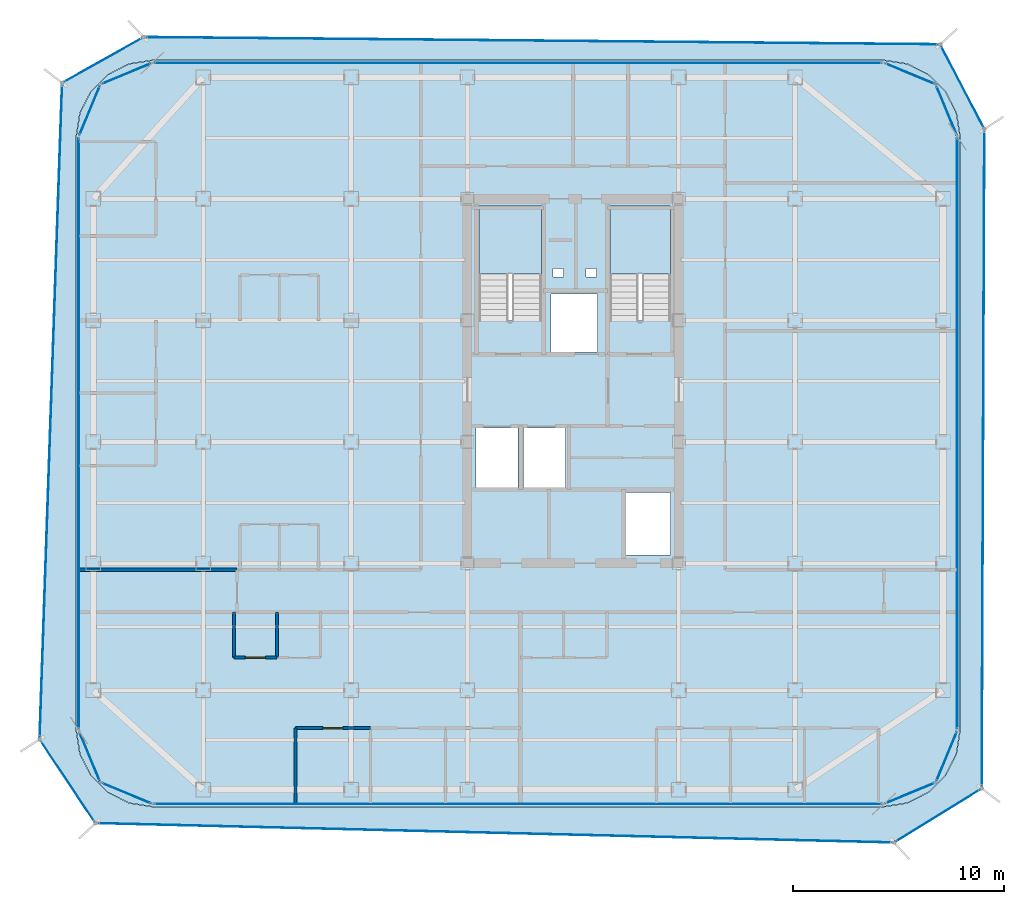
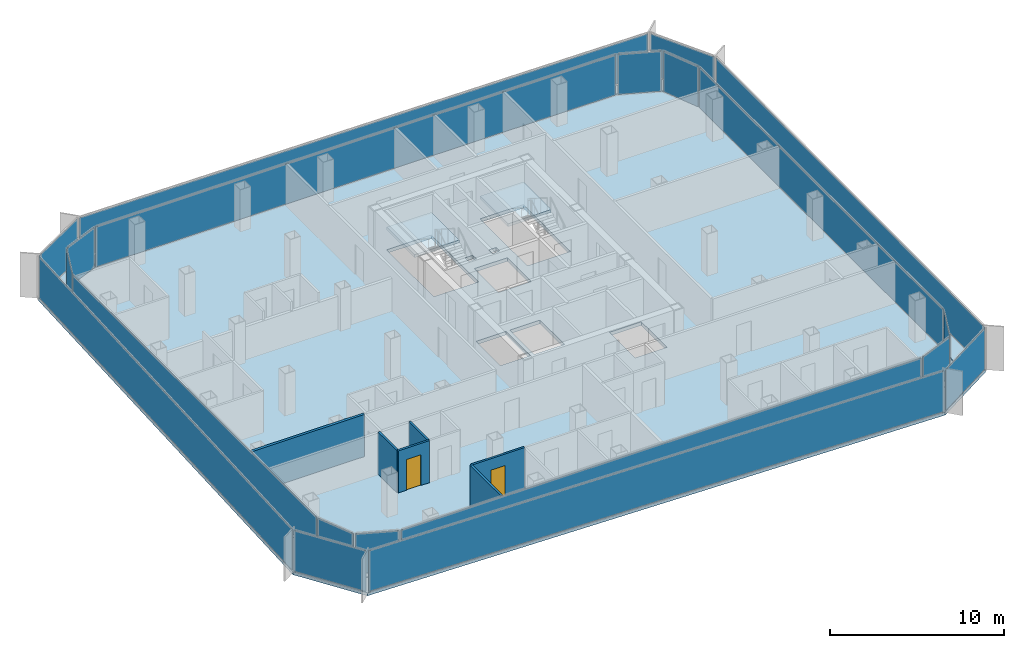
# One storey, part 9 of 15: 20 plates, 6 walls, 4 slabs, 2 doors, 2 openings, 22 elements without a shape of their own.
"""IFC4 building model written with IfcOpenShell, lengths in metres."""

from ifc_helpers import new_model, si_unit, direction, frame, frame_2d, origin, origin_2d, place, context, subcontext, project, spatial, polyline, rectangle, outline, extrude, source, transform, mapped, material, layer, layer_set, type_object, element, fill, aggregate, save


model = new_model("IFC4")

# Units and contexts
model_context = context("Model", 3, precision=1e-05, world=origin(), true_north=direction((0.0, 1.0)))
body_context = subcontext(model_context, "Body", "Model", "MODEL_VIEW")
ifc_project = project(units=[si_unit("LENGTHUNIT", "METRE"), si_unit("AREAUNIT", "SQUARE_METRE"), si_unit("VOLUMEUNIT", "CUBIC_METRE"), si_unit("PLANEANGLEUNIT", "RADIAN"), si_unit("MASSUNIT", "GRAM", prefix="KILO")], contexts=[model_context])

# Site, building, storey
site_placement = place(None, origin())
site = spatial("IfcSite", under=ifc_project, at=site_placement, CompositionType="ELEMENT")
building_placement = place(site_placement, origin())
building = spatial("IfcBuilding", under=site, at=building_placement, Name="Kolveth Station Tower", CompositionType="ELEMENT")
storey_placement = place(building_placement, frame((0.0, 0.0, 181.699951171875)))
storey = spatial("IfcBuildingStorey", under=building, at=storey_placement, Name="L51", CompositionType="ELEMENT", Elevation=181.699951171875)

# Slab
ifc_material_1 = material(Name="Concrete C40/50", Category="concrete")
ifc_layer_1 = layer(ifc_material_1, 0.25)
ifc_layer_set_1 = layer_set([ifc_layer_1], Name="Concrete C40/50")
slab_type_1 = type_object("IfcSlabType", Name="Slab_SF-250", PredefinedType="FLOOR", material=ifc_layer_set_1)
slab_1_placement = place(storey_placement, frame((0.0, 0.0, -0.25)))
element("IfcSlab", 1, at=slab_1_placement, inside=storey, type_object=slab_type_1, Name="L51 Tower Structural Floor Slab", PredefinedType="FLOOR", context=body_context, shape_type="SweptSolid", body=[
    extrude(outline(polyline([(38.199951171875, 0.0), (39.3125, 0.17626953125), (40.31591796875, 0.6875), (41.112548828125, 1.48388671875), (41.623779296875, 2.487548828125), (41.800048828125, 3.60009765625), (41.800048828125, 31.699951171875), (41.623779296875, 32.8125), (41.112548828125, 33.81591796875), (40.31591796875, 34.612548828125), (39.3125, 35.123779296875), (38.199951171875, 35.300048828125), (3.60009765625, 35.300048828125), (2.487548828125, 35.123779296875), (1.48388671875, 34.612548828125), (0.6875, 33.81591796875), (0.17626953125, 32.8125), (0.0, 31.699951171875), (0.0, 3.60009765625), (0.17626953125, 2.487548828125), (0.6875, 1.48388671875), (1.48388671875, 0.6875), (2.487548828125, 0.17626953125), (3.60009765625, 0.0), (38.199951171875, 0.0)]), holes=[polyline([(19.0400390625, 22.985107421875), (22.0, 22.985107421875), (22.0, 28.39990234375), (19.0400390625, 28.39990234375), (19.0400390625, 22.985107421875)]), polyline([(25.239990234375, 22.985107421875), (28.10009765625, 22.985107421875), (28.10009765625, 28.39990234375), (25.239990234375, 28.39990234375), (25.239990234375, 22.985107421875)]), polyline([(18.89990234375, 15.10009765625), (20.89990234375, 15.10009765625), (20.89990234375, 17.89990234375), (18.89990234375, 17.89990234375), (18.89990234375, 15.10009765625)]), polyline([(21.14990234375, 15.10009765625), (23.14990234375, 15.10009765625), (23.14990234375, 17.89990234375), (21.14990234375, 17.89990234375), (21.14990234375, 15.10009765625)]), polyline([(22.449951171875, 21.5), (24.64990234375, 21.5), (24.64990234375, 24.25), (22.449951171875, 24.25), (22.449951171875, 21.5)]), polyline([(26.0, 11.89990234375), (28.10009765625, 11.89990234375), (28.10009765625, 14.85009765625), (26.0, 14.85009765625), (26.0, 11.89990234375)]), polyline([(22.550048828125, 25.050048828125), (23.050048828125, 25.050048828125), (23.050048828125, 25.449951171875), (22.550048828125, 25.449951171875), (22.550048828125, 25.050048828125)]), polyline([(24.10009765625, 25.050048828125), (24.60009765625, 25.050048828125), (24.60009765625, 25.449951171875), (24.10009765625, 25.449951171875), (24.10009765625, 25.050048828125)])]), origin(), (0.0, 0.0, 1.0), 0.25),
])

# Stair, slab
stair_type_1 = type_object("IfcStairType", Name="Stair_ST2", PredefinedType="HALF_TURN_STAIR", material=ifc_material_1)
stair_1_placement = place(storey_placement, origin())
stair_1 = element("IfcStair", 2, at=stair_1_placement, inside=storey, type_object=stair_type_1, Name="L51 Tower Exit Stair ST2", PredefinedType="HALF_TURN_STAIR")
ifc_layer_2 = layer(ifc_material_1, 0.18994140625)
ifc_layer_set_2 = layer_set([ifc_layer_2], Name="Concrete C40/50")
slab_type_2 = type_object("IfcSlabType", Name="Slab_SL-190", PredefinedType="LANDING", material=ifc_layer_set_2)
slab_2_placement = place(storey_placement, frame((0.0, 0.0, 1.400146484375)))
slab_2 = element("IfcSlab", 3, at=slab_2_placement, type_object=slab_type_2, Name="ST2 landing 1", PredefinedType="LANDING", context=body_context, shape_type="SweptSolid", body=[
    extrude(outline(polyline([(28.10009765625, 25.18994140625), (28.10009765625, 28.39990234375), (25.239990234375, 28.39990234375), (25.239990234375, 25.18994140625), (28.10009765625, 25.18994140625)])), origin(), (0.0, 0.0, 1.0), 0.199951171875),
])
aggregate(stair_1, [slab_2])

stair_type_2 = type_object("IfcStairType", Name="Stair_ST1", PredefinedType="HALF_TURN_STAIR", material=ifc_material_1)
stair_2_placement = place(storey_placement, origin())
stair_2 = element("IfcStair", 4, at=stair_2_placement, inside=storey, type_object=stair_type_2, Name="L51 Tower Exit Stair ST1", PredefinedType="HALF_TURN_STAIR")
ifc_layer_3 = layer(ifc_material_1, 0.205078125)
ifc_layer_set_3 = layer_set([ifc_layer_3], Name="Concrete C40/50")
slab_type_3 = type_object("IfcSlabType", Name="Slab_SL-205", PredefinedType="LANDING", material=ifc_layer_set_3)
slab_3_placement = place(storey_placement, frame((0.0, 0.0, 1.400146484375)))
slab_3 = element("IfcSlab", 5, at=slab_3_placement, type_object=slab_type_3, Name="ST1 landing 1", PredefinedType="LANDING", context=body_context, shape_type="SweptSolid", body=[
    extrude(outline(polyline([(22.0, 25.18994140625), (22.0, 28.39990234375), (19.0400390625, 28.39990234375), (19.0400390625, 25.18994140625), (22.0, 25.18994140625)])), origin(), (0.0, 0.0, 1.0), 0.199951171875),
])
aggregate(stair_2, [slab_3])

# Slab
ifc_layer_4 = layer(ifc_material_1, 0.2099609375)
ifc_layer_set_4 = layer_set([ifc_layer_4], Name="Concrete C40/50")
slab_type_4 = type_object("IfcSlabType", Name="Slab_ST-210", PredefinedType="FLOOR", material=ifc_layer_set_4)
slab_4_placement = place(storey_placement, frame((0.0, 0.0, -0.2099609375)))
element("IfcSlab", 6, at=slab_4_placement, inside=storey, type_object=slab_type_4, Name="L51 Double-Skin Cavity Structural Ledger Ring", PredefinedType="FLOOR", context=body_context, shape_type="SweptSolid", body=[
    extrude(outline(polyline([(0.91162109375, -0.788330078125), (-1.736083984375, 3.178955078125), (-0.669189453125, 34.233154296875), (3.189453125, 36.398193359375), (40.869873046875, 36.05615234375), (42.959716796875, 32.049072265625), (42.835205078125, 0.856689453125), (38.685302734375, -1.705078125), (0.91162109375, -0.788330078125)]), holes=[polyline([(38.202392578125, -0.014892578125), (39.314697265625, 0.161376953125), (39.3193359375, 0.162841796875), (40.32275390625, 0.674072265625), (40.32666015625, 0.677001953125), (41.123046875, 1.473388671875), (41.1259765625, 1.477294921875), (41.63720703125, 2.480712890625), (41.638671875, 2.485107421875), (41.814697265625, 3.59765625), (41.81494140625, 3.60009765625), (41.81494140625, 31.699951171875), (41.814697265625, 31.702392578125), (41.638671875, 32.814697265625), (41.63720703125, 32.8193359375), (41.1259765625, 33.82275390625), (41.123046875, 33.82666015625), (40.32666015625, 34.623046875), (40.32275390625, 34.6259765625), (39.3193359375, 35.13720703125), (39.314697265625, 35.138671875), (38.202392578125, 35.314697265625), (38.199951171875, 35.31494140625), (3.60009765625, 35.31494140625), (3.59765625, 35.314697265625), (2.485107421875, 35.138671875), (2.480712890625, 35.13720703125), (1.477294921875, 34.6259765625), (1.473388671875, 34.623046875), (0.677001953125, 33.82666015625), (0.674072265625, 33.82275390625), (0.162841796875, 32.8193359375), (0.161376953125, 32.814697265625), (-0.014892578125, 31.702392578125), (-0.014892578125, 31.699951171875), (-0.014892578125, 3.60009765625), (-0.014892578125, 3.59765625), (0.161376953125, 2.485107421875), (0.162841796875, 2.480712890625), (0.674072265625, 1.477294921875), (0.677001953125, 1.473388671875), (1.473388671875, 0.677001953125), (1.477294921875, 0.674072265625), (2.480712890625, 0.162841796875), (2.485107421875, 0.161376953125), (3.59765625, -0.014892578125), (3.60009765625, -0.014892578125), (38.199951171875, -0.014892578125), (38.202392578125, -0.014892578125)])]), origin(), (0.0, 0.0, 1.0), 0.2099609375),
])

# Curtain wall, plate
ifc_material_2 = material(Name="Aluminium 6063-T6 and low-E dark glass", Category="aluminium")
ifc_layer_5 = layer(ifc_material_2, 0.18994140625)
ifc_layer_set_5 = layer_set([ifc_layer_5], Name="Aluminium 6063-T6 and low-E dark glass")
curtain_wall_type_1 = type_object("IfcCurtainWallType", Name="CurtainWall_CW-Z2", PredefinedType="NOTDEFINED", material=ifc_layer_set_5)
curtain_wall_1_placement = place(storey_placement, origin())
curtain_wall_1 = element("IfcCurtainWall", 7, at=curtain_wall_1_placement, inside=storey, type_object=curtain_wall_type_1, Name="L51 Inner Thermal Curtain Wall 1", PredefinedType="NOTDEFINED")
ifc_material_3 = material(Name="Architectural low-E dark glass", Category="glass")
ifc_layer_6 = layer(ifc_material_3, 0.0380859375)
ifc_layer_set_6 = layer_set([ifc_layer_6], Name="Architectural low-E dark glass")
plate_type_1 = type_object("IfcPlateType", Name="Panel_GL2", PredefinedType="CURTAIN_PANEL", material=ifc_layer_set_6)
shared_shape_1 = source(origin(), body_context, "Body", "SweptSolid", [
    extrude(rectangle(XDim=2.517578125, YDim=0.0380859375, at=origin_2d()), origin(), (0.0, 0.0, 1.0), 2.803955078125),
])
plate_1_placement = place(storey_placement, frame((39.430419921875, 0.629638671875, 0.0732421875), z_axis=(0.0, 0.0, 1.0), x_axis=(0.923873600544, 0.382697753087, 0.0)))
plate_1 = element("IfcPlate", 8, at=plate_1_placement, type_object=plate_type_1, Name="CW-Z2 panel 1.1", PredefinedType="CURTAIN_PANEL", context=body_context, shape_type="MappedRepresentation", body=[
    mapped(shared_shape_1, transform((0.0, 0.0, 0.0), x_axis=(1.0, 0.0, 0.0), y_axis=(0.0, 1.0, 0.0), z_axis=(0.0, 0.0, 1.0), scale=1.0)),
])
aggregate(curtain_wall_1, [plate_1])

curtain_wall_2_placement = place(storey_placement, origin())
curtain_wall_2 = element("IfcCurtainWall", 9, at=curtain_wall_2_placement, inside=storey, type_object=curtain_wall_type_1, Name="L51 Inner Thermal Curtain Wall 2", PredefinedType="NOTDEFINED")
plate_2_placement = place(storey_placement, frame((41.17041015625, 2.36962890625, 0.0732421875), z_axis=(0.0, 0.0, 1.0), x_axis=(0.382697753087, 0.923873600544, 0.0)))
plate_2 = element("IfcPlate", 10, at=plate_2_placement, type_object=plate_type_1, Name="CW-Z2 panel 1.1", PredefinedType="CURTAIN_PANEL", context=body_context, shape_type="MappedRepresentation", body=[
    mapped(shared_shape_1, transform((0.0, 0.0, 0.0), x_axis=(1.0, 0.0, 0.0), y_axis=(0.0, 1.0, 0.0), z_axis=(0.0, 0.0, 1.0), scale=1.0)),
])
aggregate(curtain_wall_2, [plate_2])

curtain_wall_3_placement = place(storey_placement, origin())
curtain_wall_3 = element("IfcCurtainWall", 11, at=curtain_wall_3_placement, inside=storey, type_object=curtain_wall_type_1, Name="L51 Inner Thermal Curtain Wall 4", PredefinedType="NOTDEFINED")
plate_3_placement = place(storey_placement, frame((41.17041015625, 32.930419921875, 0.0732421875), z_axis=(0.0, 0.0, 1.0), x_axis=(-0.382697753087, 0.923873600544, 0.0)))
plate_3 = element("IfcPlate", 12, at=plate_3_placement, type_object=plate_type_1, Name="CW-Z2 panel 1.1", PredefinedType="CURTAIN_PANEL", context=body_context, shape_type="MappedRepresentation", body=[
    mapped(shared_shape_1, transform((0.0, 0.0, 0.0), x_axis=(1.0, 0.0, 0.0), y_axis=(0.0, 1.0, 0.0), z_axis=(0.0, 0.0, 1.0), scale=1.0)),
])
aggregate(curtain_wall_3, [plate_3])

curtain_wall_4_placement = place(storey_placement, origin())
curtain_wall_4 = element("IfcCurtainWall", 13, at=curtain_wall_4_placement, inside=storey, type_object=curtain_wall_type_1, Name="L51 Inner Thermal Curtain Wall 5", PredefinedType="NOTDEFINED")
plate_4_placement = place(storey_placement, frame((39.430419921875, 34.67041015625, 0.0732421875), z_axis=(0.0, 0.0, 1.0), x_axis=(-0.923873600544, 0.382697753087, 0.0)))
plate_4 = element("IfcPlate", 14, at=plate_4_placement, type_object=plate_type_1, Name="CW-Z2 panel 1.1", PredefinedType="CURTAIN_PANEL", context=body_context, shape_type="MappedRepresentation", body=[
    mapped(shared_shape_1, transform((0.0, 0.0, 0.0), x_axis=(1.0, 0.0, 0.0), y_axis=(0.0, 1.0, 0.0), z_axis=(0.0, 0.0, 1.0), scale=1.0)),
])
aggregate(curtain_wall_4, [plate_4])

curtain_wall_5_placement = place(storey_placement, origin())
curtain_wall_5 = element("IfcCurtainWall", 15, at=curtain_wall_5_placement, inside=storey, type_object=curtain_wall_type_1, Name="L51 Inner Thermal Curtain Wall 7", PredefinedType="NOTDEFINED")
plate_5_placement = place(storey_placement, frame((2.36962890625, 34.67041015625, 0.0732421875), z_axis=(0.0, 0.0, 1.0), x_axis=(-0.923873600544, -0.382697753087, 0.0)))
plate_5 = element("IfcPlate", 16, at=plate_5_placement, type_object=plate_type_1, Name="CW-Z2 panel 1.1", PredefinedType="CURTAIN_PANEL", context=body_context, shape_type="MappedRepresentation", body=[
    mapped(shared_shape_1, transform((0.0, 0.0, 0.0), x_axis=(1.0, 0.0, 0.0), y_axis=(0.0, 1.0, 0.0), z_axis=(0.0, 0.0, 1.0), scale=1.0)),
])
aggregate(curtain_wall_5, [plate_5])

curtain_wall_6_placement = place(storey_placement, origin())
curtain_wall_6 = element("IfcCurtainWall", 17, at=curtain_wall_6_placement, inside=storey, type_object=curtain_wall_type_1, Name="L51 Inner Thermal Curtain Wall 8", PredefinedType="NOTDEFINED")
plate_6_placement = place(storey_placement, frame((0.629638671875, 32.930419921875, 0.0732421875), z_axis=(0.0, 0.0, 1.0), x_axis=(-0.382697753087, -0.923873600544, 0.0)))
plate_6 = element("IfcPlate", 18, at=plate_6_placement, type_object=plate_type_1, Name="CW-Z2 panel 1.1", PredefinedType="CURTAIN_PANEL", context=body_context, shape_type="MappedRepresentation", body=[
    mapped(shared_shape_1, transform((0.0, 0.0, 0.0), x_axis=(1.0, 0.0, 0.0), y_axis=(0.0, 1.0, 0.0), z_axis=(0.0, 0.0, 1.0), scale=1.0)),
])
aggregate(curtain_wall_6, [plate_6])

curtain_wall_7_placement = place(storey_placement, origin())
curtain_wall_7 = element("IfcCurtainWall", 19, at=curtain_wall_7_placement, inside=storey, type_object=curtain_wall_type_1, Name="L51 Inner Thermal Curtain Wall 10", PredefinedType="NOTDEFINED")
plate_7_placement = place(storey_placement, frame((0.629638671875, 2.36962890625, 0.0732421875), z_axis=(0.0, 0.0, 1.0), x_axis=(0.382697753087, -0.923873600544, 0.0)))
plate_7 = element("IfcPlate", 20, at=plate_7_placement, type_object=plate_type_1, Name="CW-Z2 panel 1.1", PredefinedType="CURTAIN_PANEL", context=body_context, shape_type="MappedRepresentation", body=[
    mapped(shared_shape_1, transform((0.0, 0.0, 0.0), x_axis=(1.0, 0.0, 0.0), y_axis=(0.0, 1.0, 0.0), z_axis=(0.0, 0.0, 1.0), scale=1.0)),
])
aggregate(curtain_wall_7, [plate_7])

curtain_wall_8_placement = place(storey_placement, origin())
curtain_wall_8 = element("IfcCurtainWall", 21, at=curtain_wall_8_placement, inside=storey, type_object=curtain_wall_type_1, Name="L51 Inner Thermal Curtain Wall 11", PredefinedType="NOTDEFINED")
plate_8_placement = place(storey_placement, frame((2.36962890625, 0.629638671875, 0.0732421875), z_axis=(0.0, 0.0, 1.0), x_axis=(0.923873600544, -0.382697753087, 0.0)))
plate_8 = element("IfcPlate", 22, at=plate_8_placement, type_object=plate_type_1, Name="CW-Z2 panel 1.1", PredefinedType="CURTAIN_PANEL", context=body_context, shape_type="MappedRepresentation", body=[
    mapped(shared_shape_1, transform((0.0, 0.0, 0.0), x_axis=(1.0, 0.0, 0.0), y_axis=(0.0, 1.0, 0.0), z_axis=(0.0, 0.0, 1.0), scale=1.0)),
])
aggregate(curtain_wall_8, [plate_8])

curtain_wall_9_placement = place(storey_placement, origin())
curtain_wall_9 = element("IfcCurtainWall", 23, at=curtain_wall_9_placement, inside=storey, type_object=curtain_wall_type_1, Name="L51 Inner Thermal Curtain Wall 3", PredefinedType="NOTDEFINED")
shared_shape_2 = source(origin(), body_context, "Body", "SweptSolid", [
    extrude(rectangle(XDim=27.9541015625, YDim=0.0380859375, at=origin_2d()), origin(), (0.0, 0.0, 1.0), 2.803955078125),
])
plate_9_placement = place(storey_placement, frame((41.679931640625, 17.64990234375, 0.0732421875), z_axis=(0.0, 0.0, 1.0), x_axis=(0.0, 1.0, 0.0)))
plate_9 = element("IfcPlate", 24, at=plate_9_placement, type_object=plate_type_1, Name="CW-Z2 panel 1.1", PredefinedType="CURTAIN_PANEL", context=body_context, shape_type="MappedRepresentation", body=[
    mapped(shared_shape_2, transform((0.0, 0.0, 0.0), x_axis=(1.0, 0.0, 0.0), y_axis=(0.0, 1.0, 0.0), z_axis=(0.0, 0.0, 1.0), scale=1.0)),
])
aggregate(curtain_wall_9, [plate_9])

curtain_wall_10_placement = place(storey_placement, origin())
curtain_wall_10 = element("IfcCurtainWall", 25, at=curtain_wall_10_placement, inside=storey, type_object=curtain_wall_type_1, Name="L51 Inner Thermal Curtain Wall 9", PredefinedType="NOTDEFINED")
plate_10_placement = place(storey_placement, frame((0.1201171875, 17.64990234375, 0.0732421875), z_axis=(0.0, 0.0, 1.0), x_axis=(0.0, -1.0, 0.0)))
plate_10 = element("IfcPlate", 26, at=plate_10_placement, type_object=plate_type_1, Name="CW-Z2 panel 1.1", PredefinedType="CURTAIN_PANEL", context=body_context, shape_type="MappedRepresentation", body=[
    mapped(shared_shape_2, transform((0.0, 0.0, 0.0), x_axis=(1.0, 0.0, 0.0), y_axis=(0.0, 1.0, 0.0), z_axis=(0.0, 0.0, 1.0), scale=1.0)),
])
aggregate(curtain_wall_10, [plate_10])

curtain_wall_11_placement = place(storey_placement, origin())
curtain_wall_11 = element("IfcCurtainWall", 27, at=curtain_wall_11_placement, inside=storey, type_object=curtain_wall_type_1, Name="L51 Inner Thermal Curtain Wall 6", PredefinedType="NOTDEFINED")
shared_shape_3 = source(origin(), body_context, "Body", "SweptSolid", [
    extrude(rectangle(XDim=34.4541015625, YDim=0.0380859375, at=origin_2d()), origin(), (0.0, 0.0, 1.0), 2.803955078125),
])
plate_11_placement = place(storey_placement, frame((20.89990234375, 35.179931640625, 0.0732421875), z_axis=(0.0, 0.0, 1.0), x_axis=(-1.0, 0.0, 0.0)))
plate_11 = element("IfcPlate", 28, at=plate_11_placement, type_object=plate_type_1, Name="CW-Z2 panel 1.1", PredefinedType="CURTAIN_PANEL", context=body_context, shape_type="MappedRepresentation", body=[
    mapped(shared_shape_3, transform((0.0, 0.0, 0.0), x_axis=(1.0, 0.0, 0.0), y_axis=(0.0, 1.0, 0.0), z_axis=(0.0, 0.0, 1.0), scale=1.0)),
])
aggregate(curtain_wall_11, [plate_11])

curtain_wall_12_placement = place(storey_placement, origin())
curtain_wall_12 = element("IfcCurtainWall", 29, at=curtain_wall_12_placement, inside=storey, type_object=curtain_wall_type_1, Name="L51 Inner Thermal Curtain Wall 12", PredefinedType="NOTDEFINED")
plate_12_placement = place(storey_placement, frame((20.89990234375, 0.1201171875, 0.0732421875), z_axis=(0.0, 0.0, 1.0), x_axis=(1.0, 0.0, 0.0)))
plate_12 = element("IfcPlate", 30, at=plate_12_placement, type_object=plate_type_1, Name="CW-Z2 panel 1.1", PredefinedType="CURTAIN_PANEL", context=body_context, shape_type="MappedRepresentation", body=[
    mapped(shared_shape_3, transform((0.0, 0.0, 0.0), x_axis=(1.0, 0.0, 0.0), y_axis=(0.0, 1.0, 0.0), z_axis=(0.0, 0.0, 1.0), scale=1.0)),
])
aggregate(curtain_wall_12, [plate_12])

ifc_material_4 = material(Name="Black anodized aluminium 6063-T6 and dark solar glass", Category="aluminium")
ifc_layer_7 = layer(ifc_material_4, 0.159912109375)
ifc_layer_set_7 = layer_set([ifc_layer_7], Name="Black anodized aluminium 6063-T6 and dark solar glass")
curtain_wall_type_2 = type_object("IfcCurtainWallType", Name="OUTER SKIN CW-OS", PredefinedType="NOTDEFINED", material=ifc_layer_set_7)
curtain_wall_13_placement = place(storey_placement, origin())
curtain_wall_13 = element("IfcCurtainWall", 31, at=curtain_wall_13_placement, inside=storey, type_object=curtain_wall_type_2, Name="L51 Outer Ventilated Skin Curtain Wall 5", PredefinedType="NOTDEFINED")
ifc_layer_8 = layer(ifc_material_3, 0.028076171875)
ifc_layer_set_8 = layer_set([ifc_layer_8], Name="Architectural low-E dark glass")
plate_type_2 = type_object("IfcPlateType", Name="Panel_GL-OS", PredefinedType="CURTAIN_PANEL", material=ifc_layer_set_8)
shared_shape_4 = source(origin(), body_context, "Body", "SweptSolid", [
    extrude(rectangle(XDim=4.2587890625, YDim=0.028076171875, at=origin_2d()), origin(), (0.0, 0.0, 1.0), 2.843994140625),
])
plate_13_placement = place(storey_placement, frame((1.260009765625, 35.315673828125, 0.0732421875), z_axis=(0.0, 0.0, 1.0), x_axis=(-0.872113403023, -0.489303803651, 0.0)))
plate_13 = element("IfcPlate", 32, at=plate_13_placement, type_object=plate_type_2, Name="CW-OS panel 1.1", PredefinedType="CURTAIN_PANEL", context=body_context, shape_type="MappedRepresentation", body=[
    mapped(shared_shape_4, transform((0.0, 0.0, 0.0), x_axis=(1.0, 0.0, 0.0), y_axis=(0.0, 1.0, 0.0), z_axis=(0.0, 0.0, 1.0), scale=1.0)),
])
aggregate(curtain_wall_13, [plate_13])

curtain_wall_14_placement = place(storey_placement, origin())
curtain_wall_14 = element("IfcCurtainWall", 33, at=curtain_wall_14_placement, inside=storey, type_object=curtain_wall_type_2, Name="L51 Outer Ventilated Skin Curtain Wall 1", PredefinedType="NOTDEFINED")
shared_shape_5 = source(origin(), body_context, "Body", "SweptSolid", [
    extrude(rectangle(XDim=4.710693359375, YDim=0.028076171875, at=origin_2d()), origin(), (0.0, 0.0, 1.0), 2.843994140625),
])
plate_14_placement = place(storey_placement, frame((40.76025390625, -0.42431640625, 0.0732421875), z_axis=(0.0, 0.0, 1.0), x_axis=(0.850942220214, 0.525259305351, 0.0)))
plate_14 = element("IfcPlate", 34, at=plate_14_placement, type_object=plate_type_2, Name="CW-OS panel 1.1", PredefinedType="CURTAIN_PANEL", context=body_context, shape_type="MappedRepresentation", body=[
    mapped(shared_shape_5, transform((0.0, 0.0, 0.0), x_axis=(1.0, 0.0, 0.0), y_axis=(0.0, 1.0, 0.0), z_axis=(0.0, 0.0, 1.0), scale=1.0)),
])
aggregate(curtain_wall_14, [plate_14])

curtain_wall_15_placement = place(storey_placement, origin())
curtain_wall_15 = element("IfcCurtainWall", 35, at=curtain_wall_15_placement, inside=storey, type_object=curtain_wall_type_2, Name="L51 Outer Ventilated Skin Curtain Wall 2", PredefinedType="NOTDEFINED")
shared_shape_6 = source(origin(), body_context, "Body", "SweptSolid", [
    extrude(rectangle(XDim=31.026611328125, YDim=0.028076171875, at=origin_2d()), origin(), (0.0, 0.0, 1.0), 2.843994140625),
])
plate_15_placement = place(storey_placement, frame((42.8974609375, 16.452880859375, 0.0732421875), z_axis=(0.0, 0.0, 1.0), x_axis=(0.003991312288, 0.999992034681, 0.0)))
plate_15 = element("IfcPlate", 36, at=plate_15_placement, type_object=plate_type_2, Name="CW-OS panel 1.1", PredefinedType="CURTAIN_PANEL", context=body_context, shape_type="MappedRepresentation", body=[
    mapped(shared_shape_6, transform((0.0, 0.0, 0.0), x_axis=(1.0, 0.0, 0.0), y_axis=(0.0, 1.0, 0.0), z_axis=(0.0, 0.0, 1.0), scale=1.0)),
])
aggregate(curtain_wall_15, [plate_15])

curtain_wall_16_placement = place(storey_placement, origin())
curtain_wall_16 = element("IfcCurtainWall", 37, at=curtain_wall_16_placement, inside=storey, type_object=curtain_wall_type_2, Name="L51 Outer Ventilated Skin Curtain Wall 3", PredefinedType="NOTDEFINED")
shared_shape_7 = source(origin(), body_context, "Body", "SweptSolid", [
    extrude(rectangle(XDim=4.353271484375, YDim=0.028076171875, at=origin_2d()), origin(), (0.0, 0.0, 1.0), 2.843994140625),
])
plate_16_placement = place(storey_placement, frame((41.914794921875, 34.052734375, 0.0732421875), z_axis=(0.0, 0.0, 1.0), x_axis=(-0.462416270951, 0.886662953078, 0.0)))
plate_16 = element("IfcPlate", 38, at=plate_16_placement, type_object=plate_type_2, Name="CW-OS panel 1.1", PredefinedType="CURTAIN_PANEL", context=body_context, shape_type="MappedRepresentation", body=[
    mapped(shared_shape_7, transform((0.0, 0.0, 0.0), x_axis=(1.0, 0.0, 0.0), y_axis=(0.0, 1.0, 0.0), z_axis=(0.0, 0.0, 1.0), scale=1.0)),
])
aggregate(curtain_wall_16, [plate_16])

curtain_wall_17_placement = place(storey_placement, origin())
curtain_wall_17 = element("IfcCurtainWall", 39, at=curtain_wall_17_placement, inside=storey, type_object=curtain_wall_type_2, Name="L51 Outer Ventilated Skin Curtain Wall 4", PredefinedType="NOTDEFINED")
shared_shape_8 = source(origin(), body_context, "Body", "SweptSolid", [
    extrude(rectangle(XDim=37.51611328125, YDim=0.028076171875, at=origin_2d()), origin(), (0.0, 0.0, 1.0), 2.843994140625),
])
plate_17_placement = place(storey_placement, frame((22.02978515625, 36.227294921875, 0.0732421875), z_axis=(0.0, 0.0, 1.0), x_axis=(-0.9999588126, 0.009075962941, 0.0)))
plate_17 = element("IfcPlate", 40, at=plate_17_placement, type_object=plate_type_2, Name="CW-OS panel 1.1", PredefinedType="CURTAIN_PANEL", context=body_context, shape_type="MappedRepresentation", body=[
    mapped(shared_shape_8, transform((0.0, 0.0, 0.0), x_axis=(1.0, 0.0, 0.0), y_axis=(0.0, 1.0, 0.0), z_axis=(0.0, 0.0, 1.0), scale=1.0)),
])
aggregate(curtain_wall_17, [plate_17])

curtain_wall_18_placement = place(storey_placement, origin())
curtain_wall_18 = element("IfcCurtainWall", 41, at=curtain_wall_18_placement, inside=storey, type_object=curtain_wall_type_2, Name="L51 Outer Ventilated Skin Curtain Wall 6", PredefinedType="NOTDEFINED")
shared_shape_9 = source(origin(), body_context, "Body", "SweptSolid", [
    extrude(rectangle(XDim=30.906494140625, YDim=0.028076171875, at=origin_2d()), origin(), (0.0, 0.0, 1.0), 2.843994140625),
])
plate_18_placement = place(storey_placement, frame((-1.20263671875, 18.7060546875, 0.0732421875), z_axis=(0.0, 0.0, 1.0), x_axis=(-0.034335692937, -0.999410356255, 0.0)))
plate_18 = element("IfcPlate", 42, at=plate_18_placement, type_object=plate_type_2, Name="CW-OS panel 1.1", PredefinedType="CURTAIN_PANEL", context=body_context, shape_type="MappedRepresentation", body=[
    mapped(shared_shape_9, transform((0.0, 0.0, 0.0), x_axis=(1.0, 0.0, 0.0), y_axis=(0.0, 1.0, 0.0), z_axis=(0.0, 0.0, 1.0), scale=1.0)),
])
aggregate(curtain_wall_18, [plate_18])

curtain_wall_19_placement = place(storey_placement, origin())
curtain_wall_19 = element("IfcCurtainWall", 43, at=curtain_wall_19_placement, inside=storey, type_object=curtain_wall_type_2, Name="L51 Outer Ventilated Skin Curtain Wall 7", PredefinedType="NOTDEFINED")
shared_shape_10 = source(origin(), body_context, "Body", "SweptSolid", [
    extrude(rectangle(XDim=4.603759765625, YDim=0.028076171875, at=origin_2d()), origin(), (0.0, 0.0, 1.0), 2.843994140625),
])
plate_19_placement = place(storey_placement, frame((-0.412353515625, 1.1953125, 0.0732421875), z_axis=(0.0, 0.0, 1.0), x_axis=(0.555140390038, -0.831756663543, 0.0)))
plate_19 = element("IfcPlate", 44, at=plate_19_placement, type_object=plate_type_2, Name="CW-OS panel 1.1", PredefinedType="CURTAIN_PANEL", context=body_context, shape_type="MappedRepresentation", body=[
    mapped(shared_shape_10, transform((0.0, 0.0, 0.0), x_axis=(1.0, 0.0, 0.0), y_axis=(0.0, 1.0, 0.0), z_axis=(0.0, 0.0, 1.0), scale=1.0)),
])
aggregate(curtain_wall_19, [plate_19])

curtain_wall_20_placement = place(storey_placement, origin())
curtain_wall_20 = element("IfcCurtainWall", 45, at=curtain_wall_20_placement, inside=storey, type_object=curtain_wall_type_2, Name="L51 Outer Ventilated Skin Curtain Wall 8", PredefinedType="NOTDEFINED")
shared_shape_11 = source(origin(), body_context, "Body", "SweptSolid", [
    extrude(rectangle(XDim=37.61865234375, YDim=0.028076171875, at=origin_2d()), origin(), (0.0, 0.0, 1.0), 2.843994140625),
])
plate_20_placement = place(storey_placement, frame((19.798583984375, -1.24658203125, 0.0732421875), z_axis=(0.0, 0.0, 1.0), x_axis=(0.999705719682, -0.024258483781, 0.0)))
plate_20 = element("IfcPlate", 46, at=plate_20_placement, type_object=plate_type_2, Name="CW-OS panel 1.1", PredefinedType="CURTAIN_PANEL", context=body_context, shape_type="MappedRepresentation", body=[
    mapped(shared_shape_11, transform((0.0, 0.0, 0.0), x_axis=(1.0, 0.0, 0.0), y_axis=(0.0, 1.0, 0.0), z_axis=(0.0, 0.0, 1.0), scale=1.0)),
])
aggregate(curtain_wall_20, [plate_20])

# Wall, opening, door
ifc_material_5 = material(Name="Moisture-resistant gypsum partition")
ifc_layer_9 = layer(ifc_material_5, 0.135009765625)
ifc_layer_set_9 = layer_set([ifc_layer_9], Name="Moisture-resistant gypsum partition")
wall_type_1 = type_object("IfcWallType", Name="Wall_IW-135", PredefinedType="PARTITIONING", material=ifc_layer_set_9)
wall_1_placement = place(storey_placement, frame((7.449951171875, 7.050048828125, 0.0), z_axis=(0.0, 0.0, 1.0), x_axis=(1.0, 0.0, 0.0)))
wall_1 = element("IfcWall", 47, at=wall_1_placement, inside=storey, type_object=wall_type_1, Name="L51 Partition Wall WL-L51-A1-IBHK", PredefinedType="PARTITIONING", context=body_context, shape_type="SweptSolid", body=[
    extrude(rectangle(XDim=2.050048828125, YDim=0.135009765625, at=frame_2d((1.02490234375, 0.0))), origin(), (0.0, 0.0, 1.0), 2.949951171875),
])
opening_1_placement = place(wall_1_placement, frame((0.544921875, 0.0, 0.0)))
opening_1 = element("IfcOpeningElement", 48, at=opening_1_placement, cuts=wall_1, Name="Opening ID1", PredefinedType="OPENING", context=body_context, shape_type="SweptSolid", body=[
    extrude(rectangle(XDim=0.949951171875, YDim=2.14990234375, at=frame_2d((0.47509765625, 1.074951171875))), frame((0.0, 0.077392578125, 0.0), z_axis=(0.0, -1.0, 0.0), x_axis=(1.0, 0.0, 0.0)), (0.0, 0.0, 1.0), 0.155029296875),
])
ifc_material_6 = material(Name="Acoustic hardwood leaf and aluminium frame", Category="wood")
door_type = type_object("IfcDoorType", Name="Door_ID1", OperationType="NOTDEFINED", PredefinedType="DOOR", material=ifc_material_6)
door_1_placement = place(opening_1_placement, origin())
door_1 = element("IfcDoor", 49, at=door_1_placement, inside=storey, type_object=door_type, Name="Penthouse Flat L51-A1 Kitchen Door", OperationType="SINGLE_SWING_RIGHT", OverallHeight=2.14990234375, OverallWidth=0.949951171875, PredefinedType="DOOR", context=body_context, shape_type="SweptSolid", body=[
    extrude(rectangle(XDim=0.949951171875, YDim=2.14990234375, at=frame_2d((0.47509765625, 1.074951171875))), frame((0.0, 0.02490234375, 0.0), z_axis=(0.0, -1.0, 0.0), x_axis=(1.0, 0.0, 0.0)), (0.0, 0.0, 1.0), 0.050048828125),
])
fill(opening_1, door_1)

# Walls
for number, where, z_axis, x_axis, name in (
    (50, (7.449951171875, 7.050048828125, 0.0), (0.0, 0.0, 1.0), (0.0, 1.0, 0.0), "L51 Partition Wall WL-L51-A1-IBV0"),
    (51, (9.5, 7.050048828125, 0.0), (0.0, 0.0, 1.0), (0.0, 1.0, 0.0), "L51 Partition Wall WL-L51-A1-IBV1"),
):
    element("IfcWall", number, at=place(storey_placement, frame(where, z_axis=z_axis, x_axis=x_axis)), inside=storey, type_object=wall_type_1, Name=name, PredefinedType="PARTITIONING", context=body_context, shape_type="SweptSolid", body=[
        extrude(rectangle(XDim=2.14990234375, YDim=0.135009765625, at=frame_2d((1.074951171875, 0.0))), origin(), (0.0, 0.0, 1.0), 2.949951171875),
    ])
wall_2_placement = place(storey_placement, frame((10.366943359375, 0.159912109375, 0.0), z_axis=(0.0, 0.0, 1.0), x_axis=(0.0, 1.0, 0.0)))
element("IfcWall", 52, at=wall_2_placement, inside=storey, type_object=wall_type_1, Name="L51 Partition Wall WL-L51-A1-BDV0", PredefinedType="PARTITIONING", context=body_context, shape_type="SweptSolid", body=[
    extrude(rectangle(XDim=3.550048828125, YDim=0.135009765625, at=frame_2d((1.77490234375, 0.0))), origin(), (0.0, 0.0, 1.0), 2.949951171875),
])

# Wall, opening, door
wall_3_placement = place(storey_placement, frame((10.366943359375, 3.7099609375, 0.0), z_axis=(0.0, 0.0, 1.0), x_axis=(1.0, 0.0, 0.0)))
wall_3 = element("IfcWall", 53, at=wall_3_placement, inside=storey, type_object=wall_type_1, Name="L51 Partition Wall WL-L51-A1-BDH1", PredefinedType="PARTITIONING", context=body_context, shape_type="SweptSolid", body=[
    extrude(rectangle(XDim=3.54443359375, YDim=0.135009765625, at=frame_2d((1.772216796875, 0.0))), origin(), (0.0, 0.0, 1.0), 2.949951171875),
])
opening_2_placement = place(wall_3_placement, frame((1.2919921875, 0.0, 0.0)))
opening_2 = element("IfcOpeningElement", 54, at=opening_2_placement, cuts=wall_3, Name="Opening ID1", PredefinedType="OPENING", context=body_context, shape_type="SweptSolid", body=[
    extrude(rectangle(XDim=0.949951171875, YDim=2.14990234375, at=frame_2d((0.47509765625, 1.074951171875))), frame((0.0, 0.077392578125, 0.0), z_axis=(0.0, -1.0, 0.0), x_axis=(1.0, 0.0, 0.0)), (0.0, 0.0, 1.0), 0.155029296875),
])
door_2_placement = place(opening_2_placement, frame((0.949951171875, 0.0, 0.0), z_axis=(0.0, 0.0, 1.0), x_axis=(-1.0, 0.0, 0.0)))
door_2 = element("IfcDoor", 55, at=door_2_placement, inside=storey, type_object=door_type, Name="Penthouse Flat L51-A1 Bedroom 1 Door", OperationType="SINGLE_SWING_RIGHT", OverallHeight=2.14990234375, OverallWidth=0.949951171875, PredefinedType="DOOR", context=body_context, shape_type="SweptSolid", body=[
    extrude(rectangle(XDim=0.949951171875, YDim=2.14990234375, at=frame_2d((0.47509765625, 1.074951171875))), frame((0.0, 0.02490234375, 0.0), z_axis=(0.0, -1.0, 0.0), x_axis=(1.0, 0.0, 0.0)), (0.0, 0.0, 1.0), 0.050048828125),
])
fill(opening_2, door_2)

# Wall
ifc_material_7 = material(Name="Acoustic double-stud gypsum partition")
ifc_layer_10 = layer(ifc_material_7, 0.1650390625)
ifc_layer_set_10 = layer_set([ifc_layer_10], Name="Acoustic double-stud gypsum partition")
wall_type_2 = type_object("IfcWallType", Name="Wall_IW-165", PredefinedType="PARTITIONING", material=ifc_layer_set_10)
wall_4_placement = place(storey_placement, frame((0.159912109375, 11.199951171875, 0.0), z_axis=(0.0, 0.0, 1.0), x_axis=(1.0, 0.0, 0.0)))
element("IfcWall", 56, at=wall_4_placement, inside=storey, type_object=wall_type_2, Name="L51 Partition Wall WL-L51-WSTN", PredefinedType="PARTITIONING", context=body_context, shape_type="SweptSolid", body=[
    extrude(rectangle(XDim=7.440185546875, YDim=0.1650390625, at=frame_2d((3.72021484375, 0.0))), origin(), (0.0, 0.0, 1.0), 2.949951171875),
])

save(model, "model.ifc")
